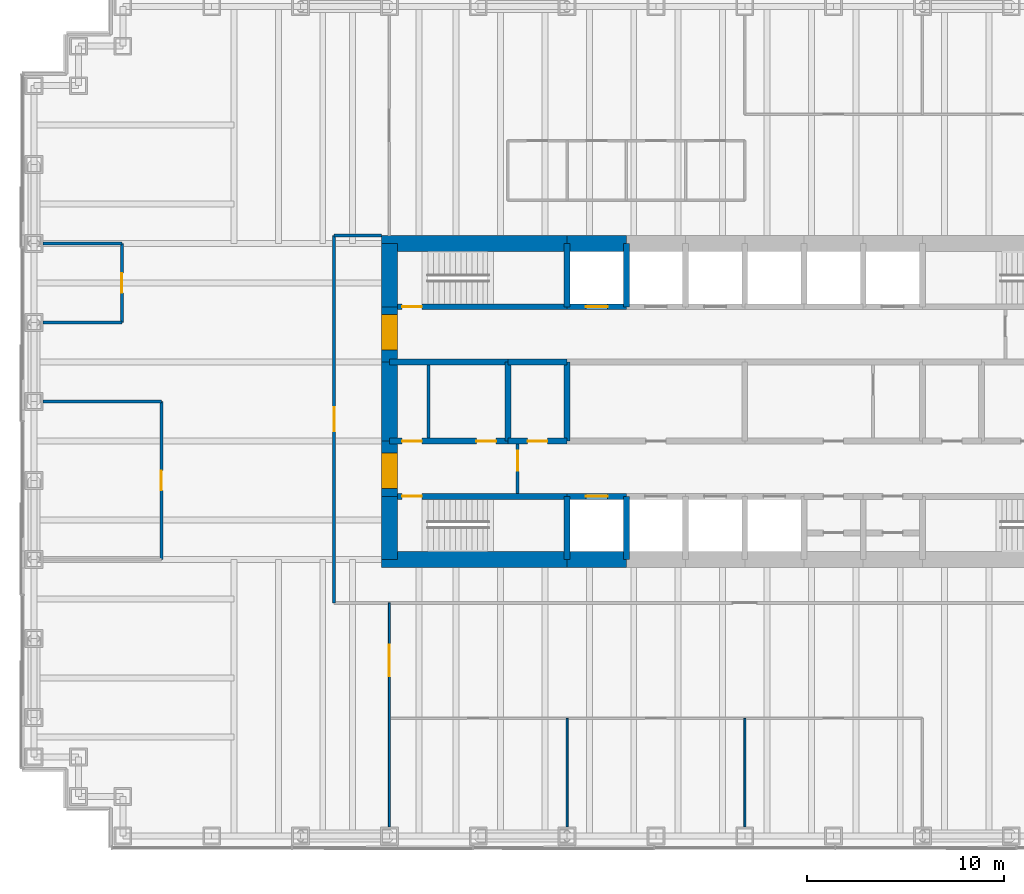
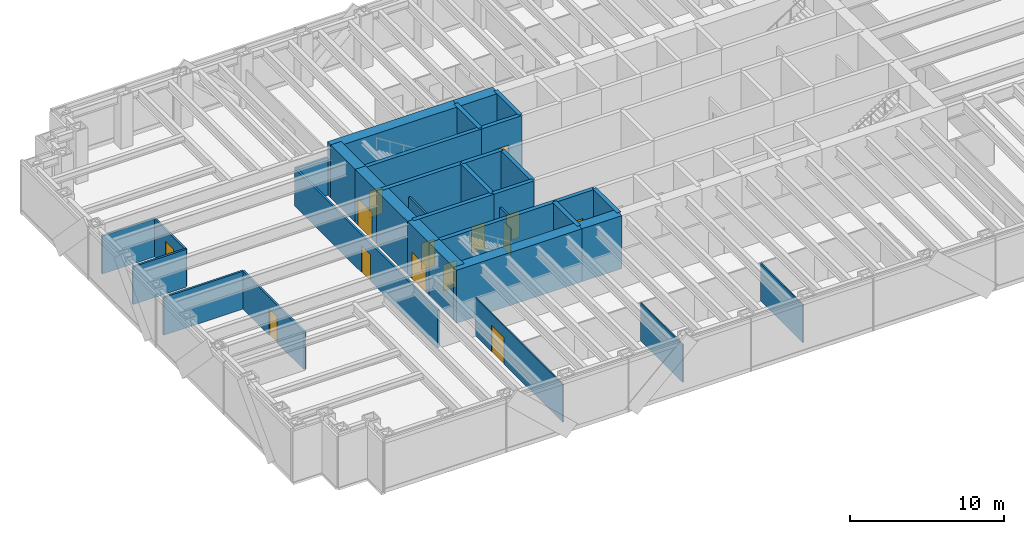
# One storey, part 10 of 14: 35 walls, 14 doors, 14 openings.
"""IFC4 building model written with IfcOpenShell, lengths in metres."""

from ifc_helpers import new_model, si_unit, direction, frame, frame_2d, origin, place, context, subcontext, project, spatial, rectangle, extrude, material, layer, layer_set, type_object, element, fill, save


model = new_model("IFC4")

# Units and contexts
model_context = context("Model", 3, precision=1e-05, world=origin(), true_north=direction((0.0, 1.0)))
body_context = subcontext(model_context, "Body", "Model", "MODEL_VIEW")
ifc_project = project(units=[si_unit("LENGTHUNIT", "METRE"), si_unit("AREAUNIT", "SQUARE_METRE"), si_unit("VOLUMEUNIT", "CUBIC_METRE"), si_unit("PLANEANGLEUNIT", "RADIAN"), si_unit("MASSUNIT", "GRAM", prefix="KILO")], contexts=[model_context])

# Site, building, storey
site_placement = place(None, origin())
site = spatial("IfcSite", under=ifc_project, at=site_placement, CompositionType="ELEMENT")
building_placement = place(site_placement, origin())
building = spatial("IfcBuilding", under=site, at=building_placement, Name="Rheinbord Bourse Tower", CompositionType="ELEMENT")
storey_placement = place(building_placement, frame((0.0, 0.0, 202.60009765625)))
storey = spatial("IfcBuildingStorey", under=building, at=storey_placement, Name="L45", CompositionType="ELEMENT", Elevation=202.60009765625)

# Wall, opening, door
ifc_material_1 = material(Name="Concrete C50/60", Category="concrete")
ifc_layer_1 = layer(ifc_material_1, 0.300048828125)
ifc_layer_set_1 = layer_set([ifc_layer_1], Name="CORE INNER WALL 300")
wall_type_1 = type_object("IfcWallType", Name="CORE INNER WALL 300", PredefinedType="SOLIDWALL", material=ifc_layer_set_1)
wall_1_placement = place(storey_placement, frame((18.0, 19.199951171875, 0.0), z_axis=(0.0, 0.0, 1.0), x_axis=(1.0, 0.0, 0.0)))
wall_1 = element("IfcWall", 1, at=wall_1_placement, inside=storey, type_object=wall_type_1, Name="Core wall A1 L45", PredefinedType="SOLIDWALL", context=body_context, shape_type="SweptSolid", body=[
    extrude(rectangle(XDim=9.0, YDim=0.300048828125, at=frame_2d((4.5, 0.0))), origin(), (0.0, 0.0, 1.0), 4.199951171875),
])
opening_1_placement = place(wall_1_placement, frame((0.64990234375, 0.0, 0.0)))
opening_1 = element("IfcOpeningElement", 2, at=opening_1_placement, cuts=wall_1, Name="Opening 4510", PredefinedType="OPENING", context=body_context, shape_type="SweptSolid", body=[
    extrude(rectangle(XDim=1.0, YDim=2.10009765625, at=frame_2d((0.5, 1.050048828125))), frame((0.0, 0.159912109375, 0.0), z_axis=(0.0, -1.0, 0.0), x_axis=(1.0, 0.0, 0.0)), (0.0, 0.0, 1.0), 0.320068359375),
])
ifc_material_2 = material(Name="Steel door", Category="steel")
door_type_1 = type_object("IfcDoorType", Name="DOOR 1000 EI30", OperationType="SINGLE_SWING_LEFT", PredefinedType="DOOR", material=ifc_material_2)
door_1_placement = place(opening_1_placement, origin())
door_1 = element("IfcDoor", 3, at=door_1_placement, inside=storey, type_object=door_type_1, Name="Stair door ST1 L45", OperationType="SINGLE_SWING_LEFT", OverallHeight=2.10009765625, OverallWidth=1.0, PredefinedType="DOOR", context=body_context, shape_type="SweptSolid", body=[
    extrude(rectangle(XDim=1.0, YDim=2.10009765625, at=frame_2d((0.5, 1.050048828125))), frame((0.0, 0.02490234375, 0.0), z_axis=(0.0, -1.0, 0.0), x_axis=(1.0, 0.0, 0.0)), (0.0, 0.0, 1.0), 0.050048828125),
])
fill(opening_1, door_1)

wall_2_placement = place(storey_placement, frame((27.0, 19.199951171875, 0.0), z_axis=(0.0, 0.0, 1.0), x_axis=(1.0, 0.0, 0.0)))
wall_2 = element("IfcWall", 4, at=wall_2_placement, inside=storey, type_object=wall_type_1, Name="Core wall A2 L45", PredefinedType="SOLIDWALL", context=body_context, shape_type="SweptSolid", body=[
    extrude(rectangle(XDim=3.0, YDim=0.300048828125, at=frame_2d((1.5, 0.0))), origin(), (0.0, 0.0, 1.0), 4.199951171875),
])
opening_2_placement = place(wall_2_placement, frame((0.949951171875, 0.0, 0.0)))
opening_2 = element("IfcOpeningElement", 5, at=opening_2_placement, cuts=wall_2, Name="Opening FL1", PredefinedType="OPENING", context=body_context, shape_type="SweptSolid", body=[
    extrude(rectangle(XDim=1.10009765625, YDim=2.199951171875, at=frame_2d((0.550048828125, 1.10009765625))), frame((0.0, 0.159912109375, 0.0), z_axis=(0.0, -1.0, 0.0), x_axis=(1.0, 0.0, 0.0)), (0.0, 0.0, 1.0), 0.320068359375),
])
ifc_material_3 = material(Name="Steel landing door", Category="steel")
door_type_2 = type_object("IfcDoorType", Name="LIFT LANDING DOOR 1100", OperationType="DOUBLE_DOOR_SLIDING", PredefinedType="USERDEFINED", material=ifc_material_3)
door_2_placement = place(opening_2_placement, origin())
door_2 = element("IfcDoor", 6, at=door_2_placement, inside=storey, type_object=door_type_2, Name="Lift landing door FL1 L45", ObjectType="LIFT LANDING DOOR", OperationType="DOUBLE_DOOR_SLIDING", OverallHeight=2.199951171875, OverallWidth=1.10009765625, PredefinedType="USERDEFINED", context=body_context, shape_type="SweptSolid", body=[
    extrude(rectangle(XDim=1.10009765625, YDim=2.199951171875, at=frame_2d((0.550048828125, 1.10009765625))), frame((0.0, 0.02490234375, 0.0), z_axis=(0.0, -1.0, 0.0), x_axis=(1.0, 0.0, 0.0)), (0.0, 0.0, 1.0), 0.050048828125),
])
fill(opening_2, door_2)

wall_3_placement = place(storey_placement, frame((18.0, 28.800048828125, 0.0), z_axis=(0.0, 0.0, 1.0), x_axis=(1.0, 0.0, 0.0)))
wall_3 = element("IfcWall", 7, at=wall_3_placement, inside=storey, type_object=wall_type_1, Name="Core wall B1 L45", PredefinedType="SOLIDWALL", context=body_context, shape_type="SweptSolid", body=[
    extrude(rectangle(XDim=9.0, YDim=0.300048828125, at=frame_2d((4.5, 0.0))), origin(), (0.0, 0.0, 1.0), 4.199951171875),
])
opening_3_placement = place(wall_3_placement, frame((0.64990234375, 0.0, 0.0)))
opening_3 = element("IfcOpeningElement", 8, at=opening_3_placement, cuts=wall_3, Name="Opening 4520", PredefinedType="OPENING", context=body_context, shape_type="SweptSolid", body=[
    extrude(rectangle(XDim=1.0, YDim=2.10009765625, at=frame_2d((0.5, 1.050048828125))), frame((0.0, 0.159912109375, 0.0), z_axis=(0.0, -1.0, 0.0), x_axis=(1.0, 0.0, 0.0)), (0.0, 0.0, 1.0), 0.320068359375),
])
door_3_placement = place(opening_3_placement, origin())
door_3 = element("IfcDoor", 9, at=door_3_placement, inside=storey, type_object=door_type_1, Name="Stair door ST2 L45", OperationType="SINGLE_SWING_LEFT", OverallHeight=2.10009765625, OverallWidth=1.0, PredefinedType="DOOR", context=body_context, shape_type="SweptSolid", body=[
    extrude(rectangle(XDim=1.0, YDim=2.10009765625, at=frame_2d((0.5, 1.050048828125))), frame((0.0, 0.02490234375, 0.0), z_axis=(0.0, -1.0, 0.0), x_axis=(1.0, 0.0, 0.0)), (0.0, 0.0, 1.0), 0.050048828125),
])
fill(opening_3, door_3)

wall_4_placement = place(storey_placement, frame((27.0, 28.800048828125, 0.0), z_axis=(0.0, 0.0, 1.0), x_axis=(1.0, 0.0, 0.0)))
wall_4 = element("IfcWall", 10, at=wall_4_placement, inside=storey, type_object=wall_type_1, Name="Core wall B2 L45", PredefinedType="SOLIDWALL", context=body_context, shape_type="SweptSolid", body=[
    extrude(rectangle(XDim=3.0, YDim=0.300048828125, at=frame_2d((1.5, 0.0))), origin(), (0.0, 0.0, 1.0), 4.199951171875),
])
opening_4_placement = place(wall_4_placement, frame((0.949951171875, 0.0, 0.0)))
opening_4 = element("IfcOpeningElement", 11, at=opening_4_placement, cuts=wall_4, Name="Opening GL1", PredefinedType="OPENING", context=body_context, shape_type="SweptSolid", body=[
    extrude(rectangle(XDim=1.10009765625, YDim=2.199951171875, at=frame_2d((0.550048828125, 1.10009765625))), frame((0.0, 0.159912109375, 0.0), z_axis=(0.0, -1.0, 0.0), x_axis=(1.0, 0.0, 0.0)), (0.0, 0.0, 1.0), 0.320068359375),
])
door_4_placement = place(opening_4_placement, origin())
door_4 = element("IfcDoor", 12, at=door_4_placement, inside=storey, type_object=door_type_2, Name="Lift landing door GL1 L45", ObjectType="LIFT LANDING DOOR", OperationType="DOUBLE_DOOR_SLIDING", OverallHeight=2.199951171875, OverallWidth=1.10009765625, PredefinedType="USERDEFINED", context=body_context, shape_type="SweptSolid", body=[
    extrude(rectangle(XDim=1.10009765625, YDim=2.199951171875, at=frame_2d((0.550048828125, 1.10009765625))), frame((0.0, 0.02490234375, 0.0), z_axis=(0.0, -1.0, 0.0), x_axis=(1.0, 0.0, 0.0)), (0.0, 0.0, 1.0), 0.050048828125),
])
fill(opening_4, door_4)

# Wall, openings, doors
wall_5_placement = place(storey_placement, frame((18.0, 22.0, 0.0), z_axis=(0.0, 0.0, 1.0), x_axis=(1.0, 0.0, 0.0)))
wall_5 = element("IfcWall", 13, at=wall_5_placement, inside=storey, type_object=wall_type_1, Name="Core wall C1 L45", PredefinedType="SOLIDWALL", context=body_context, shape_type="SweptSolid", body=[
    extrude(rectangle(XDim=6.0, YDim=0.300048828125, at=frame_2d((3.0, 0.0))), origin(), (0.0, 0.0, 1.0), 4.199951171875),
])
opening_5_placement = place(wall_5_placement, frame((4.39990234375, 0.0, 0.0)))
opening_5 = element("IfcOpeningElement", 14, at=opening_5_placement, cuts=wall_5, Name="Opening 45R1", PredefinedType="OPENING", context=body_context, shape_type="SweptSolid", body=[
    extrude(rectangle(XDim=1.0, YDim=2.10009765625, at=frame_2d((0.5, 1.050048828125))), frame((0.0, 0.159912109375, 0.0), z_axis=(0.0, -1.0, 0.0), x_axis=(1.0, 0.0, 0.0)), (0.0, 0.0, 1.0), 0.320068359375),
])
opening_6_placement = place(wall_5_placement, frame((0.64990234375, 0.0, 0.0)))
opening_6 = element("IfcOpeningElement", 15, at=opening_6_placement, cuts=wall_5, Name="Opening 45R9", PredefinedType="OPENING", context=body_context, shape_type="SweptSolid", body=[
    extrude(rectangle(XDim=1.0, YDim=2.10009765625, at=frame_2d((0.5, 1.050048828125))), frame((0.0, 0.159912109375, 0.0), z_axis=(0.0, -1.0, 0.0), x_axis=(1.0, 0.0, 0.0)), (0.0, 0.0, 1.0), 0.320068359375),
])
door_5_placement = place(opening_6_placement, origin())
door_5 = element("IfcDoor", 16, at=door_5_placement, inside=storey, type_object=door_type_1, Name="Staff shower door L45", OperationType="SINGLE_SWING_LEFT", OverallHeight=2.10009765625, OverallWidth=1.0, PredefinedType="DOOR", context=body_context, shape_type="SweptSolid", body=[
    extrude(rectangle(XDim=1.0, YDim=2.10009765625, at=frame_2d((0.5, 1.050048828125))), frame((0.0, 0.02490234375, 0.0), z_axis=(0.0, -1.0, 0.0), x_axis=(1.0, 0.0, 0.0)), (0.0, 0.0, 1.0), 0.050048828125),
])
fill(opening_6, door_5)
ifc_material_4 = material(Name="Timber door", Category="wood")
door_type_3 = type_object("IfcDoorType", Name="DOOR 1000 WC", OperationType="SINGLE_SWING_LEFT", PredefinedType="DOOR", material=ifc_material_4)
door_6_placement = place(opening_5_placement, origin())
door_6 = element("IfcDoor", 17, at=door_6_placement, inside=storey, type_object=door_type_3, Name="WC men door L45", OperationType="SINGLE_SWING_RIGHT", OverallHeight=2.10009765625, OverallWidth=1.0, PredefinedType="DOOR", context=body_context, shape_type="SweptSolid", body=[
    extrude(rectangle(XDim=1.0, YDim=2.10009765625, at=frame_2d((0.5, 1.050048828125))), frame((0.0, 0.02490234375, 0.0), z_axis=(0.0, -1.0, 0.0), x_axis=(1.0, 0.0, 0.0)), (0.0, 0.0, 1.0), 0.050048828125),
])
fill(opening_5, door_6)

# Wall, opening, door
wall_6_placement = place(storey_placement, frame((24.0, 22.0, 0.0), z_axis=(0.0, 0.0, 1.0), x_axis=(1.0, 0.0, 0.0)))
wall_6 = element("IfcWall", 18, at=wall_6_placement, inside=storey, type_object=wall_type_1, Name="Core wall C2 L45", PredefinedType="SOLIDWALL", context=body_context, shape_type="SweptSolid", body=[
    extrude(rectangle(XDim=3.0, YDim=0.300048828125, at=frame_2d((1.5, 0.0))), origin(), (0.0, 0.0, 1.0), 4.199951171875),
])
opening_7_placement = place(wall_6_placement, frame((1.0, 0.0, 0.0)))
opening_7 = element("IfcOpeningElement", 19, at=opening_7_placement, cuts=wall_6, Name="Opening 45R2", PredefinedType="OPENING", context=body_context, shape_type="SweptSolid", body=[
    extrude(rectangle(XDim=1.0, YDim=2.10009765625, at=frame_2d((0.5, 1.050048828125))), frame((0.0, 0.159912109375, 0.0), z_axis=(0.0, -1.0, 0.0), x_axis=(1.0, 0.0, 0.0)), (0.0, 0.0, 1.0), 0.320068359375),
])
door_7_placement = place(opening_7_placement, origin())
door_7 = element("IfcDoor", 20, at=door_7_placement, inside=storey, type_object=door_type_1, Name="First aid room door L45", OperationType="SINGLE_SWING_LEFT", OverallHeight=2.10009765625, OverallWidth=1.0, PredefinedType="DOOR", context=body_context, shape_type="SweptSolid", body=[
    extrude(rectangle(XDim=1.0, YDim=2.10009765625, at=frame_2d((0.5, 1.050048828125))), frame((0.0, 0.02490234375, 0.0), z_axis=(0.0, -1.0, 0.0), x_axis=(1.0, 0.0, 0.0)), (0.0, 0.0, 1.0), 0.050048828125),
])
fill(opening_7, door_7)

# Walls
wall_7_placement = place(storey_placement, frame((18.0, 26.0, 0.0), z_axis=(0.0, 0.0, 1.0), x_axis=(1.0, 0.0, 0.0)))
element("IfcWall", 21, at=wall_7_placement, inside=storey, type_object=wall_type_1, Name="Core wall D1 L45", PredefinedType="SOLIDWALL", context=body_context, shape_type="SweptSolid", body=[
    extrude(rectangle(XDim=6.0, YDim=0.300048828125, at=frame_2d((3.0, 0.0))), origin(), (0.0, 0.0, 1.0), 4.199951171875),
])
wall_8_placement = place(storey_placement, frame((24.0, 26.0, 0.0), z_axis=(0.0, 0.0, 1.0), x_axis=(1.0, 0.0, 0.0)))
element("IfcWall", 22, at=wall_8_placement, inside=storey, type_object=wall_type_1, Name="Core wall D2 L45", PredefinedType="SOLIDWALL", context=body_context, shape_type="SweptSolid", body=[
    extrude(rectangle(XDim=3.0, YDim=0.300048828125, at=frame_2d((1.5, 0.0))), origin(), (0.0, 0.0, 1.0), 4.199951171875),
])
for number, where, z_axis, x_axis, name in (
    (23, (27.0, 16.0, 0.0), (0.0, 0.0, 1.0), (0.0, 1.0, 0.0), "Core wall SX27 L45"),
    (24, (27.0, 28.800048828125, 0.0), (0.0, 0.0, 1.0), (0.0, 1.0, 0.0), "Core wall NX27 L45"),
    (25, (30.0, 16.0, 0.0), (0.0, 0.0, 1.0), (0.0, 1.0, 0.0), "Core wall SX30 L45"),
    (26, (30.0, 28.800048828125, 0.0), (0.0, 0.0, 1.0), (0.0, 1.0, 0.0), "Core wall NX30 L45"),
):
    element("IfcWall", number, at=place(storey_placement, frame(where, z_axis=z_axis, x_axis=x_axis)), inside=storey, type_object=wall_type_1, Name=name, PredefinedType="SOLIDWALL", context=body_context, shape_type="SweptSolid", body=[
        extrude(rectangle(XDim=3.199951171875, YDim=0.300048828125, at=frame_2d((1.60009765625, 0.0))), origin(), (0.0, 0.0, 1.0), 4.199951171875),
    ])
for number, where, z_axis, x_axis, name in (
    (27, (24.0, 22.0, 0.0), (0.0, 0.0, 1.0), (0.0, 1.0, 0.0), "Core wall MX24 L45"),
    (28, (27.0, 22.0, 0.0), (0.0, 0.0, 1.0), (0.0, 1.0, 0.0), "Core wall MX27 L45"),
):
    element("IfcWall", number, at=place(storey_placement, frame(where, z_axis=z_axis, x_axis=x_axis)), inside=storey, type_object=wall_type_1, Name=name, PredefinedType="SOLIDWALL", context=body_context, shape_type="SweptSolid", body=[
        extrude(rectangle(XDim=4.0, YDim=0.300048828125, at=frame_2d((2.0, 0.0))), origin(), (0.0, 0.0, 1.0), 4.199951171875),
    ])
ifc_material_5 = material(Name="Gypsum board fire partition", Category="gypsum board")
ifc_layer_2 = layer(ifc_material_5, 0.14990234375)
ifc_layer_set_2 = layer_set([ifc_layer_2], Name="CORE PARTITION 150 EI30")
wall_type_2 = type_object("IfcWallType", Name="CORE PARTITION 150 EI30", PredefinedType="PARTITIONING", material=ifc_layer_set_2)
wall_9_placement = place(storey_placement, frame((19.97509765625, 22.14990234375, 0.0), z_axis=(0.0, 0.0, 1.0), x_axis=(0.0, 1.0, 0.0)))
element("IfcWall", 29, at=wall_9_placement, inside=storey, type_object=wall_type_2, Name="Core partition L45-2", PredefinedType="PARTITIONING", context=body_context, shape_type="SweptSolid", body=[
    extrude(rectangle(XDim=3.7001953125, YDim=0.14990234375, at=frame_2d((1.85009765625, 0.0))), origin(), (0.0, 0.0, 1.0), 3.0),
])

# Wall, opening, door
wall_10_placement = place(storey_placement, frame((24.5, 19.35009765625, 0.0), z_axis=(0.0, 0.0, 1.0), x_axis=(0.0, 1.0, 0.0)))
wall_10 = element("IfcWall", 30, at=wall_10_placement, inside=storey, type_object=wall_type_2, Name="Core partition L45-4", PredefinedType="PARTITIONING", context=body_context, shape_type="SweptSolid", body=[
    extrude(rectangle(XDim=2.5, YDim=0.14990234375, at=frame_2d((1.25, 0.0))), origin(), (0.0, 0.0, 1.0), 3.0),
])
opening_8_placement = place(wall_10_placement, frame((1.14990234375, 0.0, 0.0)))
opening_8 = element("IfcOpeningElement", 31, at=opening_8_placement, cuts=wall_10, Name="Opening 45L5", PredefinedType="OPENING", context=body_context, shape_type="SweptSolid", body=[
    extrude(rectangle(XDim=1.0, YDim=2.10009765625, at=frame_2d((0.5, 1.050048828125))), frame((0.0, 0.0849609375, 0.0), z_axis=(0.0, -1.0, 0.0), x_axis=(1.0, 0.0, 0.0)), (0.0, 0.0, 1.0), 0.169921875),
])
door_8_placement = place(opening_8_placement, origin())
door_8 = element("IfcDoor", 32, at=door_8_placement, inside=storey, type_object=door_type_1, Name="Stair lobby door L45", OperationType="SINGLE_SWING_RIGHT", OverallHeight=2.10009765625, OverallWidth=1.0, PredefinedType="DOOR", context=body_context, shape_type="SweptSolid", body=[
    extrude(rectangle(XDim=1.0, YDim=2.10009765625, at=frame_2d((0.5, 1.050048828125))), frame((0.0, 0.02490234375, 0.0), z_axis=(0.0, -1.0, 0.0), x_axis=(1.0, 0.0, 0.0)), (0.0, 0.0, 1.0), 0.050048828125),
])
fill(opening_8, door_8)

# Walls
ifc_material_6 = material(Name="Concrete C50/60", Category="concrete")
ifc_layer_3 = layer(ifc_material_6, 0.800048828125)
ifc_layer_set_3 = layer_set([ifc_layer_3], Name="CORE WALL 800")
wall_type_3 = type_object("IfcWallType", Name="CORE WALL 800", PredefinedType="SHEAR", material=ifc_layer_set_3)
wall_11_placement = place(storey_placement, frame((17.60009765625, 16.0, 0.0), z_axis=(0.0, 0.0, 1.0), x_axis=(1.0, 0.0, 0.0)))
element("IfcWall", 33, at=wall_11_placement, inside=storey, type_object=wall_type_3, Name="Core wall S1 L45", PredefinedType="SHEAR", context=body_context, shape_type="SweptSolid", body=[
    extrude(rectangle(XDim=9.39990234375, YDim=0.800048828125, at=frame_2d((4.699951171875, 0.0))), origin(), (0.0, 0.0, 1.0), 4.199951171875),
])
for number, where, z_axis, x_axis, name in (
    (34, (27.0, 16.0, 0.0), (0.0, 0.0, 1.0), (1.0, 0.0, 0.0), "Core wall S2 L45"),
    (35, (30.0, 32.0, 0.0), (0.0, 0.0, 1.0), (-1.0, 0.0, 0.0), "Core wall N7 L45"),
):
    element("IfcWall", number, at=place(storey_placement, frame(where, z_axis=z_axis, x_axis=x_axis)), inside=storey, type_object=wall_type_3, Name=name, PredefinedType="SHEAR", context=body_context, shape_type="SweptSolid", body=[
        extrude(rectangle(XDim=3.0, YDim=0.800048828125, at=frame_2d((1.5, 0.0))), origin(), (0.0, 0.0, 1.0), 4.199951171875),
    ])
wall_12_placement = place(storey_placement, frame((27.0, 32.0, 0.0), z_axis=(0.0, 0.0, 1.0), x_axis=(-1.0, 0.0, 0.0)))
element("IfcWall", 36, at=wall_12_placement, inside=storey, type_object=wall_type_3, Name="Core wall N8 L45", PredefinedType="SHEAR", context=body_context, shape_type="SweptSolid", body=[
    extrude(rectangle(XDim=9.39990234375, YDim=0.800048828125, at=frame_2d((4.699951171875, 0.0))), origin(), (0.0, 0.0, 1.0), 4.199951171875),
])
wall_13_placement = place(storey_placement, frame((18.0, 32.0, 0.0), z_axis=(0.0, 0.0, 1.0), x_axis=(0.0, -1.0, 0.0)))
element("IfcWall", 37, at=wall_13_placement, inside=storey, type_object=wall_type_3, Name="Core wall W1 L45", PredefinedType="SHEAR", context=body_context, shape_type="SweptSolid", body=[
    extrude(rectangle(XDim=3.199951171875, YDim=0.800048828125, at=frame_2d((1.60009765625, 0.0))), origin(), (0.0, 0.0, 1.0), 4.199951171875),
])

# Wall, opening, door
wall_14_placement = place(storey_placement, frame((18.0, 28.800048828125, 0.0), z_axis=(0.0, 0.0, 1.0), x_axis=(0.0, -1.0, 0.0)))
wall_14 = element("IfcWall", 38, at=wall_14_placement, inside=storey, type_object=wall_type_3, Name="Core wall W2 L45", PredefinedType="SHEAR", context=body_context, shape_type="SweptSolid", body=[
    extrude(rectangle(XDim=2.800048828125, YDim=0.800048828125, at=frame_2d((1.39990234375, 0.0))), origin(), (0.0, 0.0, 1.0), 4.199951171875),
])
opening_9_placement = place(wall_14_placement, frame((0.39990234375, 0.0, 0.0)))
opening_9 = element("IfcOpeningElement", 39, at=opening_9_placement, cuts=wall_14, Name="Opening 45L2", PredefinedType="OPENING", context=body_context, shape_type="SweptSolid", body=[
    extrude(rectangle(XDim=1.800048828125, YDim=2.10009765625, at=frame_2d((0.89990234375, 1.050048828125))), frame((0.0, 0.409912109375, 0.0), z_axis=(0.0, -1.0, 0.0), x_axis=(1.0, 0.0, 0.0)), (0.0, 0.0, 1.0), 0.820068359375),
])
ifc_material_7 = material(Name="Steel door", Category="steel")
door_type_4 = type_object("IfcDoorType", Name="DOOR 1800 EI30 DOUBLE", OperationType="DOUBLE_DOOR_DOUBLE_SWING", PredefinedType="DOOR", material=ifc_material_7)
door_9_placement = place(opening_9_placement, origin())
door_9 = element("IfcDoor", 40, at=door_9_placement, inside=storey, type_object=door_type_4, Name="Lobby door 2 L45", OperationType="SINGLE_SWING_LEFT", OverallHeight=2.10009765625, OverallWidth=1.800048828125, PredefinedType="DOOR", context=body_context, shape_type="SweptSolid", body=[
    extrude(rectangle(XDim=1.800048828125, YDim=2.10009765625, at=frame_2d((0.89990234375, 1.050048828125))), frame((0.0, 0.39990234375, 0.0), z_axis=(0.0, -1.0, 0.0), x_axis=(1.0, 0.0, 0.0)), (0.0, 0.0, 1.0), 0.799560546875),
])
fill(opening_9, door_9)

# Wall
wall_15_placement = place(storey_placement, frame((18.0, 26.0, 0.0), z_axis=(0.0, 0.0, 1.0), x_axis=(0.0, -1.0, 0.0)))
element("IfcWall", 41, at=wall_15_placement, inside=storey, type_object=wall_type_3, Name="Core wall W3 L45", PredefinedType="SHEAR", context=body_context, shape_type="SweptSolid", body=[
    extrude(rectangle(XDim=4.0, YDim=0.800048828125, at=frame_2d((2.0, 0.0))), origin(), (0.0, 0.0, 1.0), 4.199951171875),
])

# Wall, opening, door
wall_16_placement = place(storey_placement, frame((18.0, 22.0, 0.0), z_axis=(0.0, 0.0, 1.0), x_axis=(0.0, -1.0, 0.0)))
wall_16 = element("IfcWall", 42, at=wall_16_placement, inside=storey, type_object=wall_type_3, Name="Core wall W4 L45", PredefinedType="SHEAR", context=body_context, shape_type="SweptSolid", body=[
    extrude(rectangle(XDim=2.800048828125, YDim=0.800048828125, at=frame_2d((1.39990234375, 0.0))), origin(), (0.0, 0.0, 1.0), 4.199951171875),
])
opening_10_placement = place(wall_16_placement, frame((0.60009765625, 0.0, 0.0)))
opening_10 = element("IfcOpeningElement", 43, at=opening_10_placement, cuts=wall_16, Name="Opening 45L1", PredefinedType="OPENING", context=body_context, shape_type="SweptSolid", body=[
    extrude(rectangle(XDim=1.800048828125, YDim=2.10009765625, at=frame_2d((0.89990234375, 1.050048828125))), frame((0.0, 0.409912109375, 0.0), z_axis=(0.0, -1.0, 0.0), x_axis=(1.0, 0.0, 0.0)), (0.0, 0.0, 1.0), 0.820068359375),
])
door_10_placement = place(opening_10_placement, origin())
door_10 = element("IfcDoor", 44, at=door_10_placement, inside=storey, type_object=door_type_4, Name="Lobby door 1 L45", OperationType="SINGLE_SWING_LEFT", OverallHeight=2.10009765625, OverallWidth=1.800048828125, PredefinedType="DOOR", context=body_context, shape_type="SweptSolid", body=[
    extrude(rectangle(XDim=1.800048828125, YDim=2.10009765625, at=frame_2d((0.89990234375, 1.050048828125))), frame((0.0, 0.39990234375, 0.0), z_axis=(0.0, -1.0, 0.0), x_axis=(1.0, 0.0, 0.0)), (0.0, 0.0, 1.0), 0.799560546875),
])
fill(opening_10, door_10)

# Walls
wall_17_placement = place(storey_placement, frame((18.0, 19.199951171875, 0.0), z_axis=(0.0, 0.0, 1.0), x_axis=(0.0, -1.0, 0.0)))
element("IfcWall", 45, at=wall_17_placement, inside=storey, type_object=wall_type_3, Name="Core wall W5 L45", PredefinedType="SHEAR", context=body_context, shape_type="SweptSolid", body=[
    extrude(rectangle(XDim=3.199951171875, YDim=0.800048828125, at=frame_2d((1.60009765625, 0.0))), origin(), (0.0, 0.0, 1.0), 4.199951171875),
])
ifc_material_8 = material(Name="Gypsum board corridor partition", Category="gypsum board")
ifc_layer_4 = layer(ifc_material_8, 0.14990234375)
ifc_layer_set_4 = layer_set([ifc_layer_4], Name="CORRIDOR PARTITION 150 EI30")
wall_type_4 = type_object("IfcWallType", Name="CORRIDOR PARTITION 150 EI30", PredefinedType="PARTITIONING", material=ifc_layer_set_4)
wall_18_placement = place(storey_placement, frame((15.199951171875, 32.39990234375, 0.0), z_axis=(0.0, 0.0, 1.0), x_axis=(1.0, 0.0, 0.0)))
element("IfcWall", 46, at=wall_18_placement, inside=storey, type_object=wall_type_4, Name="Partition L45-10", PredefinedType="PARTITIONING", context=body_context, shape_type="SweptSolid", body=[
    extrude(rectangle(XDim=2.400146484375, YDim=0.14990234375, at=frame_2d((1.2001953125, 0.0))), origin(), (0.0, 0.0, 1.0), 3.0),
])

# Wall, opening, door
wall_19_placement = place(storey_placement, frame((15.199951171875, 13.800048828125, 0.0), z_axis=(0.0, 0.0, 1.0), x_axis=(0.0, 1.0, 0.0)))
wall_19 = element("IfcWall", 47, at=wall_19_placement, inside=storey, type_object=wall_type_4, Name="Partition L45-18", PredefinedType="PARTITIONING", context=body_context, shape_type="SweptSolid", body=[
    extrude(rectangle(XDim=18.599853515625, YDim=0.14990234375, at=frame_2d((9.2998046875, 0.0))), origin(), (0.0, 0.0, 1.0), 3.0),
])
opening_11_placement = place(wall_19_placement, frame((8.699951171875, 0.0, 0.0)))
opening_11 = element("IfcOpeningElement", 48, at=opening_11_placement, cuts=wall_19, Name="Opening 45D19", PredefinedType="OPENING", context=body_context, shape_type="SweptSolid", body=[
    extrude(rectangle(XDim=1.199951171875, YDim=2.10009765625, at=frame_2d((0.60009765625, 1.050048828125))), frame((0.0, 0.0849609375, 0.0), z_axis=(0.0, -1.0, 0.0), x_axis=(1.0, 0.0, 0.0)), (0.0, 0.0, 1.0), 0.169921875),
])
ifc_material_9 = material(Name="Timber fire door", Category="wood")
door_type_5 = type_object("IfcDoorType", Name="SUITE ENTRANCE DOOR 1200 EI30", OperationType="SINGLE_SWING_LEFT", PredefinedType="DOOR", material=ifc_material_9)
door_11_placement = place(opening_11_placement, origin())
door_11 = element("IfcDoor", 49, at=door_11_placement, inside=storey, type_object=door_type_5, Name="Suite entrance 1 door L45", OperationType="SINGLE_SWING_LEFT", OverallHeight=2.10009765625, OverallWidth=1.199951171875, PredefinedType="DOOR", context=body_context, shape_type="SweptSolid", body=[
    extrude(rectangle(XDim=1.199951171875, YDim=2.10009765625, at=frame_2d((0.60009765625, 1.050048828125))), frame((0.0, 0.02490234375, 0.0), z_axis=(0.0, -1.0, 0.0), x_axis=(1.0, 0.0, 0.0)), (0.0, 0.0, 1.0), 0.050048828125),
])
fill(opening_11, door_11)

ifc_material_10 = material(Name="Toughened laminated glass partition", Category="glass")
ifc_layer_5 = layer(ifc_material_10, 0.10009765625)
ifc_layer_set_5 = layer_set([ifc_layer_5], Name="GLAZED PARTITION 100")
wall_type_5 = type_object("IfcWallType", Name="GLAZED PARTITION 100", PredefinedType="PARTITIONING", material=ifc_layer_set_5)
wall_20_placement = place(storey_placement, frame((18.0, 2.449951171875, 0.0), z_axis=(0.0, 0.0, 1.0), x_axis=(0.0, 1.0, 0.0)))
wall_20 = element("IfcWall", 50, at=wall_20_placement, inside=storey, type_object=wall_type_5, Name="Partition L45-19", PredefinedType="PARTITIONING", context=body_context, shape_type="SweptSolid", body=[
    extrude(rectangle(XDim=11.35009765625, YDim=0.10009765625, at=frame_2d((5.675048828125, 0.0))), origin(), (0.0, 0.0, 1.0), 3.0),
])
opening_12_placement = place(wall_20_placement, frame((7.625, 0.0, 0.0)))
opening_12 = element("IfcOpeningElement", 51, at=opening_12_placement, cuts=wall_20, Name="Opening 45D15", PredefinedType="OPENING", context=body_context, shape_type="SweptSolid", body=[
    extrude(rectangle(XDim=1.60009765625, YDim=2.10009765625, at=frame_2d((0.800048828125, 1.050048828125))), frame((0.0, 0.06005859375, 0.0), z_axis=(0.0, -1.0, 0.0), x_axis=(1.0, 0.0, 0.0)), (0.0, 0.0, 1.0), 0.1201171875),
])
ifc_material_11 = material(Name="Timber door", Category="wood")
door_type_6 = type_object("IfcDoorType", Name="DOUBLE ROOM DOOR 1600", OperationType="DOUBLE_DOOR_DOUBLE_SWING", PredefinedType="DOOR", material=ifc_material_11)
door_12_placement = place(opening_12_placement, origin())
door_12 = element("IfcDoor", 52, at=door_12_placement, inside=storey, type_object=door_type_6, Name="Open area door L45", OperationType="SINGLE_SWING_LEFT", OverallHeight=2.10009765625, OverallWidth=1.60009765625, PredefinedType="DOOR", context=body_context, shape_type="SweptSolid", body=[
    extrude(rectangle(XDim=1.60009765625, YDim=2.10009765625, at=frame_2d((0.800048828125, 1.050048828125))), frame((0.0, 0.02490234375, 0.0), z_axis=(0.0, -1.0, 0.0), x_axis=(1.0, 0.0, 0.0)), (0.0, 0.0, 1.0), 0.050048828125),
])
fill(opening_12, door_12)

# Walls
for number, where, z_axis, x_axis, name in (
    (53, (27.0, 2.449951171875, 0.0), (0.0, 0.0, 1.0), (0.0, 1.0, 0.0), "Partition L45-22"),
    (54, (36.0, 2.449951171875, 0.0), (0.0, 0.0, 1.0), (0.0, 1.0, 0.0), "Partition L45-26"),
):
    element("IfcWall", number, at=place(storey_placement, frame(where, z_axis=z_axis, x_axis=x_axis)), inside=storey, type_object=wall_type_5, Name=name, PredefinedType="PARTITIONING", context=body_context, shape_type="SweptSolid", body=[
        extrude(rectangle(XDim=5.5, YDim=0.10009765625, at=frame_2d((2.75, 0.0))), origin(), (0.0, 0.0, 1.0), 3.0),
    ])
ifc_material_12 = material(Name="Gypsum board partition", Category="gypsum board")
ifc_layer_6 = layer(ifc_material_12, 0.14990234375)
ifc_layer_set_6 = layer_set([ifc_layer_6], Name="PARTITION 150")
wall_type_6 = type_object("IfcWallType", Name="PARTITION 150", PredefinedType="PARTITIONING", material=ifc_layer_set_6)
wall_21_placement = place(storey_placement, frame((0.449951171875, 24.0, 0.0), z_axis=(0.0, 0.0, 1.0), x_axis=(1.0, 0.0, 0.0)))
element("IfcWall", 55, at=wall_21_placement, inside=storey, type_object=wall_type_6, Name="Partition L45-07", PredefinedType="PARTITIONING", context=body_context, shape_type="SweptSolid", body=[
    extrude(rectangle(XDim=6.0, YDim=0.14990234375, at=frame_2d((3.0, 0.0))), origin(), (0.0, 0.0, 1.0), 3.0),
])
for number, where, z_axis, x_axis, name in (
    (56, (0.449951171875, 28.0, 0.0), (0.0, 0.0, 1.0), (1.0, 0.0, 0.0), "Partition L45-08"),
    (57, (0.449951171875, 32.0, 0.0), (0.0, 0.0, 1.0), (1.0, 0.0, 0.0), "Partition L45-09"),
):
    element("IfcWall", number, at=place(storey_placement, frame(where, z_axis=z_axis, x_axis=x_axis)), inside=storey, type_object=wall_type_6, Name=name, PredefinedType="PARTITIONING", context=body_context, shape_type="SweptSolid", body=[
        extrude(rectangle(XDim=4.0, YDim=0.14990234375, at=frame_2d((2.0, 0.0))), origin(), (0.0, 0.0, 1.0), 3.0),
    ])

# Wall, opening, door
wall_22_placement = place(storey_placement, frame((4.449951171875, 28.0, 0.0), z_axis=(0.0, 0.0, 1.0), x_axis=(0.0, 1.0, 0.0)))
wall_22 = element("IfcWall", 58, at=wall_22_placement, inside=storey, type_object=wall_type_6, Name="Partition L45-16", PredefinedType="PARTITIONING", context=body_context, shape_type="SweptSolid", body=[
    extrude(rectangle(XDim=4.0, YDim=0.14990234375, at=frame_2d((2.0, 0.0))), origin(), (0.0, 0.0, 1.0), 3.0),
])
opening_13_placement = place(wall_22_placement, frame((1.5, 0.0, 0.0)))
opening_13 = element("IfcOpeningElement", 59, at=opening_13_placement, cuts=wall_22, Name="Opening 45D07", PredefinedType="OPENING", context=body_context, shape_type="SweptSolid", body=[
    extrude(rectangle(XDim=1.0, YDim=2.10009765625, at=frame_2d((0.5, 1.050048828125))), frame((0.0, 0.0849609375, 0.0), z_axis=(0.0, -1.0, 0.0), x_axis=(1.0, 0.0, 0.0)), (0.0, 0.0, 1.0), 0.169921875),
])
ifc_material_13 = material(Name="Timber door", Category="wood")
door_type_7 = type_object("IfcDoorType", Name="ROOM DOOR 1000", OperationType="SINGLE_SWING_LEFT", PredefinedType="DOOR", material=ifc_material_13)
door_13_placement = place(opening_13_placement, origin())
door_13 = element("IfcDoor", 60, at=door_13_placement, inside=storey, type_object=door_type_7, Name="Print room door L45", OperationType="SINGLE_SWING_LEFT", OverallHeight=2.10009765625, OverallWidth=1.0, PredefinedType="DOOR", context=body_context, shape_type="SweptSolid", body=[
    extrude(rectangle(XDim=1.0, YDim=2.10009765625, at=frame_2d((0.5, 1.050048828125))), frame((0.0, 0.02490234375, 0.0), z_axis=(0.0, -1.0, 0.0), x_axis=(1.0, 0.0, 0.0)), (0.0, 0.0, 1.0), 0.050048828125),
])
fill(opening_13, door_13)

wall_23_placement = place(storey_placement, frame((6.449951171875, 16.0, 0.0), z_axis=(0.0, 0.0, 1.0), x_axis=(0.0, 1.0, 0.0)))
wall_23 = element("IfcWall", 61, at=wall_23_placement, inside=storey, type_object=wall_type_6, Name="Partition L45-17", PredefinedType="PARTITIONING", context=body_context, shape_type="SweptSolid", body=[
    extrude(rectangle(XDim=8.0, YDim=0.14990234375, at=frame_2d((4.0, 0.0))), origin(), (0.0, 0.0, 1.0), 3.0),
])
opening_14_placement = place(wall_23_placement, frame((3.5, 0.0, 0.0)))
opening_14 = element("IfcOpeningElement", 62, at=opening_14_placement, cuts=wall_23, Name="Opening 45D06", PredefinedType="OPENING", context=body_context, shape_type="SweptSolid", body=[
    extrude(rectangle(XDim=1.0, YDim=2.10009765625, at=frame_2d((0.5, 1.050048828125))), frame((0.0, 0.0849609375, 0.0), z_axis=(0.0, -1.0, 0.0), x_axis=(1.0, 0.0, 0.0)), (0.0, 0.0, 1.0), 0.169921875),
])
door_14_placement = place(opening_14_placement, origin())
door_14 = element("IfcDoor", 63, at=door_14_placement, inside=storey, type_object=door_type_7, Name="Pantry door L45", OperationType="SINGLE_SWING_LEFT", OverallHeight=2.10009765625, OverallWidth=1.0, PredefinedType="DOOR", context=body_context, shape_type="SweptSolid", body=[
    extrude(rectangle(XDim=1.0, YDim=2.10009765625, at=frame_2d((0.5, 1.050048828125))), frame((0.0, 0.02490234375, 0.0), z_axis=(0.0, -1.0, 0.0), x_axis=(1.0, 0.0, 0.0)), (0.0, 0.0, 1.0), 0.050048828125),
])
fill(opening_14, door_14)

save(model, "model.ifc")
